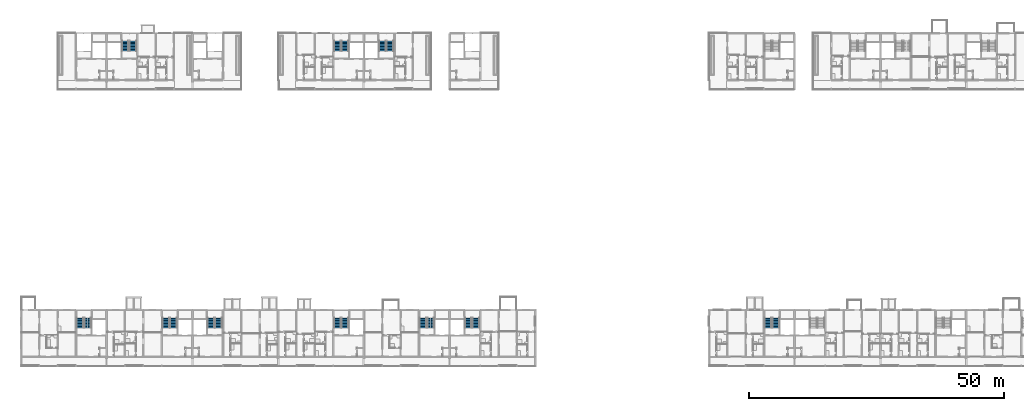
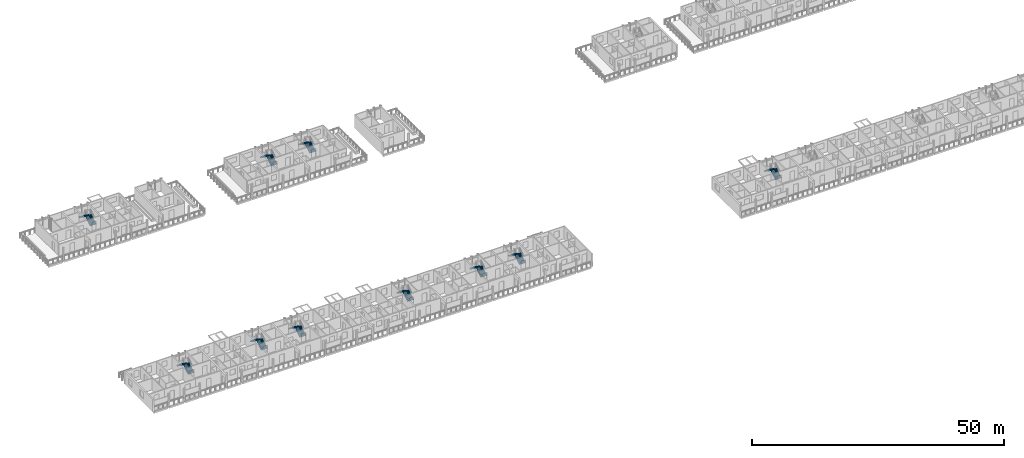
# One storey, part 62 of 94: 20 stair flights, 10 elements without a shape of their own.
"""IFC4 building model written with IfcOpenShell, lengths in metres."""

from ifc_helpers import new_model, si_unit, direction, frame, origin, place, context, subcontext, project, spatial, polyline, outline, extrude, material, type_object, element, aggregate, save


model = new_model("IFC4")

# Units and contexts
model_context = context("Model", 3, precision=1e-05, world=origin(), true_north=direction((0.0, 1.0)))
body_context = subcontext(model_context, "Body", "Model", "MODEL_VIEW")
ifc_project = project(units=[si_unit("LENGTHUNIT", "METRE"), si_unit("AREAUNIT", "SQUARE_METRE"), si_unit("VOLUMEUNIT", "CUBIC_METRE"), si_unit("PLANEANGLEUNIT", "RADIAN"), si_unit("MASSUNIT", "GRAM", prefix="KILO")], contexts=[model_context])

# Site, building, storey
site_placement = place(None, origin())
site = spatial("IfcSite", under=ifc_project, at=site_placement, CompositionType="ELEMENT")
building_placement = place(site_placement, origin())
building = spatial("IfcBuilding", under=site, at=building_placement, Name="Ridgestep Commons", CompositionType="ELEMENT")
storey_placement = place(building_placement, frame((0.0, 0.0, 24.0)))
storey = spatial("IfcBuildingStorey", under=building, at=storey_placement, Name="L08", CompositionType="ELEMENT", Elevation=24.0)

# Stair, stair flights
ifc_material_1 = material(Name="Precast concrete C40/50", Category="concrete")
stair_type = type_object("IfcStairType", Name="Escape stair 1400", PredefinedType="HALF_TURN_STAIR", material=ifc_material_1)
stair_1_placement = place(storey_placement, origin())
stair_1 = element("IfcStair", 1, at=stair_1_placement, inside=storey, type_object=stair_type, Name="L08 Escape stair A1C", PredefinedType="HALF_TURN_STAIR")
ifc_material_2 = material(Name="Precast concrete C40/50", Category="concrete")
stair_flight_type = type_object("IfcStairFlightType", Name="Stair flight 1400", PredefinedType="STRAIGHT", material=ifc_material_2)
stair_flight_1_placement = place(storey_placement, frame((25.125, 19.35009765625, 0.0), z_axis=(0.0, 0.0, 1.0), x_axis=(0.0, 1.0, 0.0)))
stair_flight_1 = element("IfcStairFlight", 2, at=stair_flight_1_placement, type_object=stair_flight_type, Name="A1C flight 1", NumberOfRisers=8, NumberOfTreads=7, PredefinedType="STRAIGHT", RiserHeight=0.1875, TreadLength=0.28, context=body_context, shape_type="SweptSolid", body=[
    extrude(outline(polyline([(0.0, 0.0), (0.0, 0.1875), (0.280029296875, 0.1875), (0.280029296875, 0.375), (0.56005859375, 0.375), (0.56005859375, 0.5625), (0.840087890625, 0.5625), (0.840087890625, 0.75), (1.1201171875, 0.75), (1.1201171875, 0.9375), (1.39990234375, 0.9375), (1.39990234375, 1.125), (1.679931640625, 1.125), (1.679931640625, 1.3125), (1.9599609375, 1.3125), (1.9599609375, 1.5), (1.9599609375, 1.132080078125), (0.26953125, 0.0), (0.0, 0.0)])), frame((0.0, 0.699951171875, 0.0), z_axis=(0.0, -1.0, 0.0), x_axis=(1.0, 0.0, 0.0)), (0.0, 0.0, 1.0), 0.695068359375),
    extrude(outline(polyline([(0.0, 0.0), (0.0, 0.1875), (0.280029296875, 0.1875), (0.280029296875, 0.375), (0.56005859375, 0.375), (0.56005859375, 0.5625), (0.840087890625, 0.5625), (0.840087890625, 0.75), (1.1201171875, 0.75), (1.1201171875, 0.9375), (1.39990234375, 0.9375), (1.39990234375, 1.125), (1.679931640625, 1.125), (1.679931640625, 1.3125), (1.9599609375, 1.3125), (1.9599609375, 1.5), (1.9599609375, 1.132080078125), (0.26953125, 0.0), (0.0, 0.0)])), frame((0.0, -0.0048828125, 0.0), z_axis=(0.0, -1.0, 0.0), x_axis=(1.0, 0.0, 0.0)), (0.0, 0.0, 1.0), 0.695068359375),
])
stair_flight_2_placement = place(storey_placement, frame((23.625, 21.31005859375, 1.5), z_axis=(0.0, 0.0, 1.0), x_axis=(0.0, -1.0, 0.0)))
stair_flight_2 = element("IfcStairFlight", 3, at=stair_flight_2_placement, type_object=stair_flight_type, Name="A1C flight 2", NumberOfRisers=8, NumberOfTreads=7, PredefinedType="STRAIGHT", RiserHeight=0.1875, TreadLength=0.28, context=body_context, shape_type="SweptSolid", body=[
    extrude(outline(polyline([(0.0, 0.0), (0.0, 0.1875), (0.280029296875, 0.1875), (0.280029296875, 0.375), (0.56005859375, 0.375), (0.56005859375, 0.5625), (0.840087890625, 0.5625), (0.840087890625, 0.75), (1.1201171875, 0.75), (1.1201171875, 0.9375), (1.39990234375, 0.9375), (1.39990234375, 1.125), (1.679931640625, 1.125), (1.679931640625, 1.3125), (1.9599609375, 1.3125), (1.9599609375, 1.5), (1.9599609375, 1.132080078125), (0.26953125, 0.0), (0.0, 0.0)])), frame((0.0, 0.699951171875, 0.0), z_axis=(0.0, -1.0, 0.0), x_axis=(1.0, 0.0, 0.0)), (0.0, 0.0, 1.0), 0.695068359375),
    extrude(outline(polyline([(0.0, 0.0), (0.0, 0.1875), (0.280029296875, 0.1875), (0.280029296875, 0.375), (0.56005859375, 0.375), (0.56005859375, 0.5625), (0.840087890625, 0.5625), (0.840087890625, 0.75), (1.1201171875, 0.75), (1.1201171875, 0.9375), (1.39990234375, 0.9375), (1.39990234375, 1.125), (1.679931640625, 1.125), (1.679931640625, 1.3125), (1.9599609375, 1.3125), (1.9599609375, 1.5), (1.9599609375, 1.132080078125), (0.26953125, 0.0), (0.0, 0.0)])), frame((0.0, -0.0048828125, 0.0), z_axis=(0.0, -1.0, 0.0), x_axis=(1.0, 0.0, 0.0)), (0.0, 0.0, 1.0), 0.695068359375),
])
aggregate(stair_1, [stair_flight_1, stair_flight_2])

stair_2_placement = place(storey_placement, origin())
stair_2 = element("IfcStair", 4, at=stair_2_placement, inside=storey, type_object=stair_type, Name="L08 Escape stair A2C", PredefinedType="HALF_TURN_STAIR")
stair_flight_3_placement = place(storey_placement, frame((41.925048828125, 19.35009765625, 0.0), z_axis=(0.0, 0.0, 1.0), x_axis=(0.0, 1.0, 0.0)))
stair_flight_3 = element("IfcStairFlight", 5, at=stair_flight_3_placement, type_object=stair_flight_type, Name="A2C flight 1", NumberOfRisers=8, NumberOfTreads=7, PredefinedType="STRAIGHT", RiserHeight=0.1875, TreadLength=0.28, context=body_context, shape_type="SweptSolid", body=[
    extrude(outline(polyline([(0.0, 0.0), (0.0, 0.1875), (0.280029296875, 0.1875), (0.280029296875, 0.375), (0.56005859375, 0.375), (0.56005859375, 0.5625), (0.840087890625, 0.5625), (0.840087890625, 0.75), (1.1201171875, 0.75), (1.1201171875, 0.9375), (1.39990234375, 0.9375), (1.39990234375, 1.125), (1.679931640625, 1.125), (1.679931640625, 1.3125), (1.9599609375, 1.3125), (1.9599609375, 1.5), (1.9599609375, 1.132080078125), (0.26953125, 0.0), (0.0, 0.0)])), frame((0.0, 0.699951171875, 0.0), z_axis=(0.0, -1.0, 0.0), x_axis=(1.0, 0.0, 0.0)), (0.0, 0.0, 1.0), 0.695068359375),
    extrude(outline(polyline([(0.0, 0.0), (0.0, 0.1875), (0.280029296875, 0.1875), (0.280029296875, 0.375), (0.56005859375, 0.375), (0.56005859375, 0.5625), (0.840087890625, 0.5625), (0.840087890625, 0.75), (1.1201171875, 0.75), (1.1201171875, 0.9375), (1.39990234375, 0.9375), (1.39990234375, 1.125), (1.679931640625, 1.125), (1.679931640625, 1.3125), (1.9599609375, 1.3125), (1.9599609375, 1.5), (1.9599609375, 1.132080078125), (0.26953125, 0.0), (0.0, 0.0)])), frame((0.0, -0.0048828125, 0.0), z_axis=(0.0, -1.0, 0.0), x_axis=(1.0, 0.0, 0.0)), (0.0, 0.0, 1.0), 0.695068359375),
])
stair_flight_4_placement = place(storey_placement, frame((40.425048828125, 21.31005859375, 1.5), z_axis=(0.0, 0.0, 1.0), x_axis=(0.0, -1.0, 0.0)))
stair_flight_4 = element("IfcStairFlight", 6, at=stair_flight_4_placement, type_object=stair_flight_type, Name="A2C flight 2", NumberOfRisers=8, NumberOfTreads=7, PredefinedType="STRAIGHT", RiserHeight=0.1875, TreadLength=0.28, context=body_context, shape_type="SweptSolid", body=[
    extrude(outline(polyline([(0.0, 0.0), (0.0, 0.1875), (0.280029296875, 0.1875), (0.280029296875, 0.375), (0.56005859375, 0.375), (0.56005859375, 0.5625), (0.840087890625, 0.5625), (0.840087890625, 0.75), (1.1201171875, 0.75), (1.1201171875, 0.9375), (1.39990234375, 0.9375), (1.39990234375, 1.125), (1.679931640625, 1.125), (1.679931640625, 1.3125), (1.9599609375, 1.3125), (1.9599609375, 1.5), (1.9599609375, 1.132080078125), (0.26953125, 0.0), (0.0, 0.0)])), frame((0.0, 0.699951171875, 0.0), z_axis=(0.0, -1.0, 0.0), x_axis=(1.0, 0.0, 0.0)), (0.0, 0.0, 1.0), 0.695068359375),
    extrude(outline(polyline([(0.0, 0.0), (0.0, 0.1875), (0.280029296875, 0.1875), (0.280029296875, 0.375), (0.56005859375, 0.375), (0.56005859375, 0.5625), (0.840087890625, 0.5625), (0.840087890625, 0.75), (1.1201171875, 0.75), (1.1201171875, 0.9375), (1.39990234375, 0.9375), (1.39990234375, 1.125), (1.679931640625, 1.125), (1.679931640625, 1.3125), (1.9599609375, 1.3125), (1.9599609375, 1.5), (1.9599609375, 1.132080078125), (0.26953125, 0.0), (0.0, 0.0)])), frame((0.0, -0.0048828125, 0.0), z_axis=(0.0, -1.0, 0.0), x_axis=(1.0, 0.0, 0.0)), (0.0, 0.0, 1.0), 0.695068359375),
])
aggregate(stair_2, [stair_flight_3, stair_flight_4])

stair_3_placement = place(storey_placement, origin())
stair_3 = element("IfcStair", 7, at=stair_3_placement, inside=storey, type_object=stair_type, Name="L08 Escape stair A3C", PredefinedType="HALF_TURN_STAIR")
stair_flight_5_placement = place(storey_placement, frame((50.77490234375, 19.35009765625, 0.0), z_axis=(0.0, 0.0, 1.0), x_axis=(0.0, 1.0, 0.0)))
stair_flight_5 = element("IfcStairFlight", 8, at=stair_flight_5_placement, type_object=stair_flight_type, Name="A3C flight 1", NumberOfRisers=8, NumberOfTreads=7, PredefinedType="STRAIGHT", RiserHeight=0.1875, TreadLength=0.28, context=body_context, shape_type="SweptSolid", body=[
    extrude(outline(polyline([(0.0, 0.0), (0.0, 0.1875), (0.280029296875, 0.1875), (0.280029296875, 0.375), (0.56005859375, 0.375), (0.56005859375, 0.5625), (0.840087890625, 0.5625), (0.840087890625, 0.75), (1.1201171875, 0.75), (1.1201171875, 0.9375), (1.39990234375, 0.9375), (1.39990234375, 1.125), (1.679931640625, 1.125), (1.679931640625, 1.3125), (1.9599609375, 1.3125), (1.9599609375, 1.5), (1.9599609375, 1.132080078125), (0.26953125, 0.0), (0.0, 0.0)])), frame((0.0, 0.699951171875, 0.0), z_axis=(0.0, -1.0, 0.0), x_axis=(1.0, 0.0, 0.0)), (0.0, 0.0, 1.0), 0.695068359375),
    extrude(outline(polyline([(0.0, 0.0), (0.0, 0.1875), (0.280029296875, 0.1875), (0.280029296875, 0.375), (0.56005859375, 0.375), (0.56005859375, 0.5625), (0.840087890625, 0.5625), (0.840087890625, 0.75), (1.1201171875, 0.75), (1.1201171875, 0.9375), (1.39990234375, 0.9375), (1.39990234375, 1.125), (1.679931640625, 1.125), (1.679931640625, 1.3125), (1.9599609375, 1.3125), (1.9599609375, 1.5), (1.9599609375, 1.132080078125), (0.26953125, 0.0), (0.0, 0.0)])), frame((0.0, -0.0048828125, 0.0), z_axis=(0.0, -1.0, 0.0), x_axis=(1.0, 0.0, 0.0)), (0.0, 0.0, 1.0), 0.695068359375),
])
stair_flight_6_placement = place(storey_placement, frame((49.27490234375, 21.31005859375, 1.5), z_axis=(0.0, 0.0, 1.0), x_axis=(0.0, -1.0, 0.0)))
stair_flight_6 = element("IfcStairFlight", 9, at=stair_flight_6_placement, type_object=stair_flight_type, Name="A3C flight 2", NumberOfRisers=8, NumberOfTreads=7, PredefinedType="STRAIGHT", RiserHeight=0.1875, TreadLength=0.28, context=body_context, shape_type="SweptSolid", body=[
    extrude(outline(polyline([(0.0, 0.0), (0.0, 0.1875), (0.280029296875, 0.1875), (0.280029296875, 0.375), (0.56005859375, 0.375), (0.56005859375, 0.5625), (0.840087890625, 0.5625), (0.840087890625, 0.75), (1.1201171875, 0.75), (1.1201171875, 0.9375), (1.39990234375, 0.9375), (1.39990234375, 1.125), (1.679931640625, 1.125), (1.679931640625, 1.3125), (1.9599609375, 1.3125), (1.9599609375, 1.5), (1.9599609375, 1.132080078125), (0.26953125, 0.0), (0.0, 0.0)])), frame((0.0, 0.699951171875, 0.0), z_axis=(0.0, -1.0, 0.0), x_axis=(1.0, 0.0, 0.0)), (0.0, 0.0, 1.0), 0.695068359375),
    extrude(outline(polyline([(0.0, 0.0), (0.0, 0.1875), (0.280029296875, 0.1875), (0.280029296875, 0.375), (0.56005859375, 0.375), (0.56005859375, 0.5625), (0.840087890625, 0.5625), (0.840087890625, 0.75), (1.1201171875, 0.75), (1.1201171875, 0.9375), (1.39990234375, 0.9375), (1.39990234375, 1.125), (1.679931640625, 1.125), (1.679931640625, 1.3125), (1.9599609375, 1.3125), (1.9599609375, 1.5), (1.9599609375, 1.132080078125), (0.26953125, 0.0), (0.0, 0.0)])), frame((0.0, -0.0048828125, 0.0), z_axis=(0.0, -1.0, 0.0), x_axis=(1.0, 0.0, 0.0)), (0.0, 0.0, 1.0), 0.695068359375),
])
aggregate(stair_3, [stair_flight_5, stair_flight_6])

stair_4_placement = place(storey_placement, origin())
stair_4 = element("IfcStair", 10, at=stair_4_placement, inside=storey, type_object=stair_type, Name="L08 Escape stair A4C", PredefinedType="HALF_TURN_STAIR")
stair_flight_7_placement = place(storey_placement, frame((75.52490234375, 19.35009765625, 0.0), z_axis=(0.0, 0.0, 1.0), x_axis=(0.0, 1.0, 0.0)))
stair_flight_7 = element("IfcStairFlight", 11, at=stair_flight_7_placement, type_object=stair_flight_type, Name="A4C flight 1", NumberOfRisers=8, NumberOfTreads=7, PredefinedType="STRAIGHT", RiserHeight=0.1875, TreadLength=0.28, context=body_context, shape_type="SweptSolid", body=[
    extrude(outline(polyline([(0.0, 0.0), (0.0, 0.1875), (0.280029296875, 0.1875), (0.280029296875, 0.375), (0.56005859375, 0.375), (0.56005859375, 0.5625), (0.840087890625, 0.5625), (0.840087890625, 0.75), (1.1201171875, 0.75), (1.1201171875, 0.9375), (1.39990234375, 0.9375), (1.39990234375, 1.125), (1.679931640625, 1.125), (1.679931640625, 1.3125), (1.9599609375, 1.3125), (1.9599609375, 1.5), (1.9599609375, 1.132080078125), (0.26953125, 0.0), (0.0, 0.0)])), frame((0.0, 0.699951171875, 0.0), z_axis=(0.0, -1.0, 0.0), x_axis=(1.0, 0.0, 0.0)), (0.0, 0.0, 1.0), 0.695068359375),
    extrude(outline(polyline([(0.0, 0.0), (0.0, 0.1875), (0.280029296875, 0.1875), (0.280029296875, 0.375), (0.56005859375, 0.375), (0.56005859375, 0.5625), (0.840087890625, 0.5625), (0.840087890625, 0.75), (1.1201171875, 0.75), (1.1201171875, 0.9375), (1.39990234375, 0.9375), (1.39990234375, 1.125), (1.679931640625, 1.125), (1.679931640625, 1.3125), (1.9599609375, 1.3125), (1.9599609375, 1.5), (1.9599609375, 1.132080078125), (0.26953125, 0.0), (0.0, 0.0)])), frame((0.0, -0.0048828125, 0.0), z_axis=(0.0, -1.0, 0.0), x_axis=(1.0, 0.0, 0.0)), (0.0, 0.0, 1.0), 0.695068359375),
])
stair_flight_8_placement = place(storey_placement, frame((74.02490234375, 21.31005859375, 1.5), z_axis=(0.0, 0.0, 1.0), x_axis=(0.0, -1.0, 0.0)))
stair_flight_8 = element("IfcStairFlight", 12, at=stair_flight_8_placement, type_object=stair_flight_type, Name="A4C flight 2", NumberOfRisers=8, NumberOfTreads=7, PredefinedType="STRAIGHT", RiserHeight=0.1875, TreadLength=0.28, context=body_context, shape_type="SweptSolid", body=[
    extrude(outline(polyline([(0.0, 0.0), (0.0, 0.1875), (0.280029296875, 0.1875), (0.280029296875, 0.375), (0.56005859375, 0.375), (0.56005859375, 0.5625), (0.840087890625, 0.5625), (0.840087890625, 0.75), (1.1201171875, 0.75), (1.1201171875, 0.9375), (1.39990234375, 0.9375), (1.39990234375, 1.125), (1.679931640625, 1.125), (1.679931640625, 1.3125), (1.9599609375, 1.3125), (1.9599609375, 1.5), (1.9599609375, 1.132080078125), (0.26953125, 0.0), (0.0, 0.0)])), frame((0.0, 0.699951171875, 0.0), z_axis=(0.0, -1.0, 0.0), x_axis=(1.0, 0.0, 0.0)), (0.0, 0.0, 1.0), 0.695068359375),
    extrude(outline(polyline([(0.0, 0.0), (0.0, 0.1875), (0.280029296875, 0.1875), (0.280029296875, 0.375), (0.56005859375, 0.375), (0.56005859375, 0.5625), (0.840087890625, 0.5625), (0.840087890625, 0.75), (1.1201171875, 0.75), (1.1201171875, 0.9375), (1.39990234375, 0.9375), (1.39990234375, 1.125), (1.679931640625, 1.125), (1.679931640625, 1.3125), (1.9599609375, 1.3125), (1.9599609375, 1.5), (1.9599609375, 1.132080078125), (0.26953125, 0.0), (0.0, 0.0)])), frame((0.0, -0.0048828125, 0.0), z_axis=(0.0, -1.0, 0.0), x_axis=(1.0, 0.0, 0.0)), (0.0, 0.0, 1.0), 0.695068359375),
])
aggregate(stair_4, [stair_flight_7, stair_flight_8])

stair_5_placement = place(storey_placement, origin())
stair_5 = element("IfcStair", 13, at=stair_5_placement, inside=storey, type_object=stair_type, Name="L08 Escape stair A5C", PredefinedType="HALF_TURN_STAIR")
stair_flight_9_placement = place(storey_placement, frame((92.324951171875, 19.35009765625, 0.0), z_axis=(0.0, 0.0, 1.0), x_axis=(0.0, 1.0, 0.0)))
stair_flight_9 = element("IfcStairFlight", 14, at=stair_flight_9_placement, type_object=stair_flight_type, Name="A5C flight 1", NumberOfRisers=8, NumberOfTreads=7, PredefinedType="STRAIGHT", RiserHeight=0.1875, TreadLength=0.28, context=body_context, shape_type="SweptSolid", body=[
    extrude(outline(polyline([(0.0, 0.0), (0.0, 0.1875), (0.280029296875, 0.1875), (0.280029296875, 0.375), (0.56005859375, 0.375), (0.56005859375, 0.5625), (0.840087890625, 0.5625), (0.840087890625, 0.75), (1.1201171875, 0.75), (1.1201171875, 0.9375), (1.39990234375, 0.9375), (1.39990234375, 1.125), (1.679931640625, 1.125), (1.679931640625, 1.3125), (1.9599609375, 1.3125), (1.9599609375, 1.5), (1.9599609375, 1.132080078125), (0.26953125, 0.0), (0.0, 0.0)])), frame((0.0, 0.699951171875, 0.0), z_axis=(0.0, -1.0, 0.0), x_axis=(1.0, 0.0, 0.0)), (0.0, 0.0, 1.0), 0.695068359375),
    extrude(outline(polyline([(0.0, 0.0), (0.0, 0.1875), (0.280029296875, 0.1875), (0.280029296875, 0.375), (0.56005859375, 0.375), (0.56005859375, 0.5625), (0.840087890625, 0.5625), (0.840087890625, 0.75), (1.1201171875, 0.75), (1.1201171875, 0.9375), (1.39990234375, 0.9375), (1.39990234375, 1.125), (1.679931640625, 1.125), (1.679931640625, 1.3125), (1.9599609375, 1.3125), (1.9599609375, 1.5), (1.9599609375, 1.132080078125), (0.26953125, 0.0), (0.0, 0.0)])), frame((0.0, -0.0048828125, 0.0), z_axis=(0.0, -1.0, 0.0), x_axis=(1.0, 0.0, 0.0)), (0.0, 0.0, 1.0), 0.695068359375),
])
stair_flight_10_placement = place(storey_placement, frame((90.824951171875, 21.31005859375, 1.5), z_axis=(0.0, 0.0, 1.0), x_axis=(0.0, -1.0, 0.0)))
stair_flight_10 = element("IfcStairFlight", 15, at=stair_flight_10_placement, type_object=stair_flight_type, Name="A5C flight 2", NumberOfRisers=8, NumberOfTreads=7, PredefinedType="STRAIGHT", RiserHeight=0.1875, TreadLength=0.28, context=body_context, shape_type="SweptSolid", body=[
    extrude(outline(polyline([(0.0, 0.0), (0.0, 0.1875), (0.280029296875, 0.1875), (0.280029296875, 0.375), (0.56005859375, 0.375), (0.56005859375, 0.5625), (0.840087890625, 0.5625), (0.840087890625, 0.75), (1.1201171875, 0.75), (1.1201171875, 0.9375), (1.39990234375, 0.9375), (1.39990234375, 1.125), (1.679931640625, 1.125), (1.679931640625, 1.3125), (1.9599609375, 1.3125), (1.9599609375, 1.5), (1.9599609375, 1.132080078125), (0.26953125, 0.0), (0.0, 0.0)])), frame((0.0, 0.699951171875, 0.0), z_axis=(0.0, -1.0, 0.0), x_axis=(1.0, 0.0, 0.0)), (0.0, 0.0, 1.0), 0.695068359375),
    extrude(outline(polyline([(0.0, 0.0), (0.0, 0.1875), (0.280029296875, 0.1875), (0.280029296875, 0.375), (0.56005859375, 0.375), (0.56005859375, 0.5625), (0.840087890625, 0.5625), (0.840087890625, 0.75), (1.1201171875, 0.75), (1.1201171875, 0.9375), (1.39990234375, 0.9375), (1.39990234375, 1.125), (1.679931640625, 1.125), (1.679931640625, 1.3125), (1.9599609375, 1.3125), (1.9599609375, 1.5), (1.9599609375, 1.132080078125), (0.26953125, 0.0), (0.0, 0.0)])), frame((0.0, -0.0048828125, 0.0), z_axis=(0.0, -1.0, 0.0), x_axis=(1.0, 0.0, 0.0)), (0.0, 0.0, 1.0), 0.695068359375),
])
aggregate(stair_5, [stair_flight_9, stair_flight_10])

stair_6_placement = place(storey_placement, origin())
stair_6 = element("IfcStair", 16, at=stair_6_placement, inside=storey, type_object=stair_type, Name="L08 Escape stair A6C", PredefinedType="HALF_TURN_STAIR")
stair_flight_11_placement = place(storey_placement, frame((101.175048828125, 19.35009765625, 0.0), z_axis=(0.0, 0.0, 1.0), x_axis=(0.0, 1.0, 0.0)))
stair_flight_11 = element("IfcStairFlight", 17, at=stair_flight_11_placement, type_object=stair_flight_type, Name="A6C flight 1", NumberOfRisers=8, NumberOfTreads=7, PredefinedType="STRAIGHT", RiserHeight=0.1875, TreadLength=0.28, context=body_context, shape_type="SweptSolid", body=[
    extrude(outline(polyline([(0.0, 0.0), (0.0, 0.1875), (0.280029296875, 0.1875), (0.280029296875, 0.375), (0.56005859375, 0.375), (0.56005859375, 0.5625), (0.840087890625, 0.5625), (0.840087890625, 0.75), (1.1201171875, 0.75), (1.1201171875, 0.9375), (1.39990234375, 0.9375), (1.39990234375, 1.125), (1.679931640625, 1.125), (1.679931640625, 1.3125), (1.9599609375, 1.3125), (1.9599609375, 1.5), (1.9599609375, 1.132080078125), (0.26953125, 0.0), (0.0, 0.0)])), frame((0.0, 0.699951171875, 0.0), z_axis=(0.0, -1.0, 0.0), x_axis=(1.0, 0.0, 0.0)), (0.0, 0.0, 1.0), 0.695068359375),
    extrude(outline(polyline([(0.0, 0.0), (0.0, 0.1875), (0.280029296875, 0.1875), (0.280029296875, 0.375), (0.56005859375, 0.375), (0.56005859375, 0.5625), (0.840087890625, 0.5625), (0.840087890625, 0.75), (1.1201171875, 0.75), (1.1201171875, 0.9375), (1.39990234375, 0.9375), (1.39990234375, 1.125), (1.679931640625, 1.125), (1.679931640625, 1.3125), (1.9599609375, 1.3125), (1.9599609375, 1.5), (1.9599609375, 1.132080078125), (0.26953125, 0.0), (0.0, 0.0)])), frame((0.0, -0.0048828125, 0.0), z_axis=(0.0, -1.0, 0.0), x_axis=(1.0, 0.0, 0.0)), (0.0, 0.0, 1.0), 0.695068359375),
])
stair_flight_12_placement = place(storey_placement, frame((99.675048828125, 21.31005859375, 1.5), z_axis=(0.0, 0.0, 1.0), x_axis=(0.0, -1.0, 0.0)))
stair_flight_12 = element("IfcStairFlight", 18, at=stair_flight_12_placement, type_object=stair_flight_type, Name="A6C flight 2", NumberOfRisers=8, NumberOfTreads=7, PredefinedType="STRAIGHT", RiserHeight=0.1875, TreadLength=0.28, context=body_context, shape_type="SweptSolid", body=[
    extrude(outline(polyline([(0.0, 0.0), (0.0, 0.1875), (0.280029296875, 0.1875), (0.280029296875, 0.375), (0.56005859375, 0.375), (0.56005859375, 0.5625), (0.840087890625, 0.5625), (0.840087890625, 0.75), (1.1201171875, 0.75), (1.1201171875, 0.9375), (1.39990234375, 0.9375), (1.39990234375, 1.125), (1.679931640625, 1.125), (1.679931640625, 1.3125), (1.9599609375, 1.3125), (1.9599609375, 1.5), (1.9599609375, 1.132080078125), (0.26953125, 0.0), (0.0, 0.0)])), frame((0.0, 0.699951171875, 0.0), z_axis=(0.0, -1.0, 0.0), x_axis=(1.0, 0.0, 0.0)), (0.0, 0.0, 1.0), 0.695068359375),
    extrude(outline(polyline([(0.0, 0.0), (0.0, 0.1875), (0.280029296875, 0.1875), (0.280029296875, 0.375), (0.56005859375, 0.375), (0.56005859375, 0.5625), (0.840087890625, 0.5625), (0.840087890625, 0.75), (1.1201171875, 0.75), (1.1201171875, 0.9375), (1.39990234375, 0.9375), (1.39990234375, 1.125), (1.679931640625, 1.125), (1.679931640625, 1.3125), (1.9599609375, 1.3125), (1.9599609375, 1.5), (1.9599609375, 1.132080078125), (0.26953125, 0.0), (0.0, 0.0)])), frame((0.0, -0.0048828125, 0.0), z_axis=(0.0, -1.0, 0.0), x_axis=(1.0, 0.0, 0.0)), (0.0, 0.0, 1.0), 0.695068359375),
])
aggregate(stair_6, [stair_flight_11, stair_flight_12])

stair_7_placement = place(storey_placement, origin())
stair_7 = element("IfcStair", 19, at=stair_7_placement, inside=storey, type_object=stair_type, Name="L08 Escape stair B2C", PredefinedType="HALF_TURN_STAIR")
stair_flight_13_placement = place(storey_placement, frame((33.97509765625, 73.60009765625, 0.0), z_axis=(0.0, 0.0, 1.0), x_axis=(0.0, 1.0, 0.0)))
stair_flight_13 = element("IfcStairFlight", 20, at=stair_flight_13_placement, type_object=stair_flight_type, Name="B2C flight 1", NumberOfRisers=8, NumberOfTreads=7, PredefinedType="STRAIGHT", RiserHeight=0.1875, TreadLength=0.28, context=body_context, shape_type="SweptSolid", body=[
    extrude(outline(polyline([(0.0, 0.0), (0.0, 0.1875), (0.280029296875, 0.1875), (0.280029296875, 0.375), (0.56005859375, 0.375), (0.56005859375, 0.5625), (0.840087890625, 0.5625), (0.840087890625, 0.75), (1.1201171875, 0.75), (1.1201171875, 0.9375), (1.39990234375, 0.9375), (1.39990234375, 1.125), (1.679931640625, 1.125), (1.679931640625, 1.3125), (1.9599609375, 1.3125), (1.9599609375, 1.5), (1.9599609375, 1.132080078125), (0.26953125, 0.0), (0.0, 0.0)])), frame((0.0, 0.699951171875, 0.0), z_axis=(0.0, -1.0, 0.0), x_axis=(1.0, 0.0, 0.0)), (0.0, 0.0, 1.0), 0.695068359375),
    extrude(outline(polyline([(0.0, 0.0), (0.0, 0.1875), (0.280029296875, 0.1875), (0.280029296875, 0.375), (0.56005859375, 0.375), (0.56005859375, 0.5625), (0.840087890625, 0.5625), (0.840087890625, 0.75), (1.1201171875, 0.75), (1.1201171875, 0.9375), (1.39990234375, 0.9375), (1.39990234375, 1.125), (1.679931640625, 1.125), (1.679931640625, 1.3125), (1.9599609375, 1.3125), (1.9599609375, 1.5), (1.9599609375, 1.132080078125), (0.26953125, 0.0), (0.0, 0.0)])), frame((0.0, -0.0048828125, 0.0), z_axis=(0.0, -1.0, 0.0), x_axis=(1.0, 0.0, 0.0)), (0.0, 0.0, 1.0), 0.695068359375),
])
stair_flight_14_placement = place(storey_placement, frame((32.47509765625, 75.56005859375, 1.5), z_axis=(0.0, 0.0, 1.0), x_axis=(0.0, -1.0, 0.0)))
stair_flight_14 = element("IfcStairFlight", 21, at=stair_flight_14_placement, type_object=stair_flight_type, Name="B2C flight 2", NumberOfRisers=8, NumberOfTreads=7, PredefinedType="STRAIGHT", RiserHeight=0.1875, TreadLength=0.28, context=body_context, shape_type="SweptSolid", body=[
    extrude(outline(polyline([(0.0, 0.0), (0.0, 0.1875), (0.280029296875, 0.1875), (0.280029296875, 0.375), (0.56005859375, 0.375), (0.56005859375, 0.5625), (0.840087890625, 0.5625), (0.840087890625, 0.75), (1.1201171875, 0.75), (1.1201171875, 0.9375), (1.39990234375, 0.9375), (1.39990234375, 1.125), (1.679931640625, 1.125), (1.679931640625, 1.3125), (1.9599609375, 1.3125), (1.9599609375, 1.5), (1.9599609375, 1.132080078125), (0.26953125, 0.0), (0.0, 0.0)])), frame((0.0, 0.699951171875, 0.0), z_axis=(0.0, -1.0, 0.0), x_axis=(1.0, 0.0, 0.0)), (0.0, 0.0, 1.0), 0.695068359375),
    extrude(outline(polyline([(0.0, 0.0), (0.0, 0.1875), (0.280029296875, 0.1875), (0.280029296875, 0.375), (0.56005859375, 0.375), (0.56005859375, 0.5625), (0.840087890625, 0.5625), (0.840087890625, 0.75), (1.1201171875, 0.75), (1.1201171875, 0.9375), (1.39990234375, 0.9375), (1.39990234375, 1.125), (1.679931640625, 1.125), (1.679931640625, 1.3125), (1.9599609375, 1.3125), (1.9599609375, 1.5), (1.9599609375, 1.132080078125), (0.26953125, 0.0), (0.0, 0.0)])), frame((0.0, -0.0048828125, 0.0), z_axis=(0.0, -1.0, 0.0), x_axis=(1.0, 0.0, 0.0)), (0.0, 0.0, 1.0), 0.695068359375),
])
aggregate(stair_7, [stair_flight_13, stair_flight_14])

stair_8_placement = place(storey_placement, origin())
stair_8 = element("IfcStair", 22, at=stair_8_placement, inside=storey, type_object=stair_type, Name="L08 Escape stair B4C", PredefinedType="HALF_TURN_STAIR")
stair_flight_15_placement = place(storey_placement, frame((75.52490234375, 73.60009765625, 0.0), z_axis=(0.0, 0.0, 1.0), x_axis=(0.0, 1.0, 0.0)))
stair_flight_15 = element("IfcStairFlight", 23, at=stair_flight_15_placement, type_object=stair_flight_type, Name="B4C flight 1", NumberOfRisers=8, NumberOfTreads=7, PredefinedType="STRAIGHT", RiserHeight=0.1875, TreadLength=0.28, context=body_context, shape_type="SweptSolid", body=[
    extrude(outline(polyline([(0.0, 0.0), (0.0, 0.1875), (0.280029296875, 0.1875), (0.280029296875, 0.375), (0.56005859375, 0.375), (0.56005859375, 0.5625), (0.840087890625, 0.5625), (0.840087890625, 0.75), (1.1201171875, 0.75), (1.1201171875, 0.9375), (1.39990234375, 0.9375), (1.39990234375, 1.125), (1.679931640625, 1.125), (1.679931640625, 1.3125), (1.9599609375, 1.3125), (1.9599609375, 1.5), (1.9599609375, 1.132080078125), (0.26953125, 0.0), (0.0, 0.0)])), frame((0.0, 0.699951171875, 0.0), z_axis=(0.0, -1.0, 0.0), x_axis=(1.0, 0.0, 0.0)), (0.0, 0.0, 1.0), 0.695068359375),
    extrude(outline(polyline([(0.0, 0.0), (0.0, 0.1875), (0.280029296875, 0.1875), (0.280029296875, 0.375), (0.56005859375, 0.375), (0.56005859375, 0.5625), (0.840087890625, 0.5625), (0.840087890625, 0.75), (1.1201171875, 0.75), (1.1201171875, 0.9375), (1.39990234375, 0.9375), (1.39990234375, 1.125), (1.679931640625, 1.125), (1.679931640625, 1.3125), (1.9599609375, 1.3125), (1.9599609375, 1.5), (1.9599609375, 1.132080078125), (0.26953125, 0.0), (0.0, 0.0)])), frame((0.0, -0.0048828125, 0.0), z_axis=(0.0, -1.0, 0.0), x_axis=(1.0, 0.0, 0.0)), (0.0, 0.0, 1.0), 0.695068359375),
])
stair_flight_16_placement = place(storey_placement, frame((74.02490234375, 75.56005859375, 1.5), z_axis=(0.0, 0.0, 1.0), x_axis=(0.0, -1.0, 0.0)))
stair_flight_16 = element("IfcStairFlight", 24, at=stair_flight_16_placement, type_object=stair_flight_type, Name="B4C flight 2", NumberOfRisers=8, NumberOfTreads=7, PredefinedType="STRAIGHT", RiserHeight=0.1875, TreadLength=0.28, context=body_context, shape_type="SweptSolid", body=[
    extrude(outline(polyline([(0.0, 0.0), (0.0, 0.1875), (0.280029296875, 0.1875), (0.280029296875, 0.375), (0.56005859375, 0.375), (0.56005859375, 0.5625), (0.840087890625, 0.5625), (0.840087890625, 0.75), (1.1201171875, 0.75), (1.1201171875, 0.9375), (1.39990234375, 0.9375), (1.39990234375, 1.125), (1.679931640625, 1.125), (1.679931640625, 1.3125), (1.9599609375, 1.3125), (1.9599609375, 1.5), (1.9599609375, 1.132080078125), (0.26953125, 0.0), (0.0, 0.0)])), frame((0.0, 0.699951171875, 0.0), z_axis=(0.0, -1.0, 0.0), x_axis=(1.0, 0.0, 0.0)), (0.0, 0.0, 1.0), 0.695068359375),
    extrude(outline(polyline([(0.0, 0.0), (0.0, 0.1875), (0.280029296875, 0.1875), (0.280029296875, 0.375), (0.56005859375, 0.375), (0.56005859375, 0.5625), (0.840087890625, 0.5625), (0.840087890625, 0.75), (1.1201171875, 0.75), (1.1201171875, 0.9375), (1.39990234375, 0.9375), (1.39990234375, 1.125), (1.679931640625, 1.125), (1.679931640625, 1.3125), (1.9599609375, 1.3125), (1.9599609375, 1.5), (1.9599609375, 1.132080078125), (0.26953125, 0.0), (0.0, 0.0)])), frame((0.0, -0.0048828125, 0.0), z_axis=(0.0, -1.0, 0.0), x_axis=(1.0, 0.0, 0.0)), (0.0, 0.0, 1.0), 0.695068359375),
])
aggregate(stair_8, [stair_flight_15, stair_flight_16])

stair_9_placement = place(storey_placement, origin())
stair_9 = element("IfcStair", 25, at=stair_9_placement, inside=storey, type_object=stair_type, Name="L08 Escape stair B5C", PredefinedType="HALF_TURN_STAIR")
stair_flight_17_placement = place(storey_placement, frame((84.375, 73.60009765625, 0.0), z_axis=(0.0, 0.0, 1.0), x_axis=(0.0, 1.0, 0.0)))
stair_flight_17 = element("IfcStairFlight", 26, at=stair_flight_17_placement, type_object=stair_flight_type, Name="B5C flight 1", NumberOfRisers=8, NumberOfTreads=7, PredefinedType="STRAIGHT", RiserHeight=0.1875, TreadLength=0.28, context=body_context, shape_type="SweptSolid", body=[
    extrude(outline(polyline([(0.0, 0.0), (0.0, 0.1875), (0.280029296875, 0.1875), (0.280029296875, 0.375), (0.56005859375, 0.375), (0.56005859375, 0.5625), (0.840087890625, 0.5625), (0.840087890625, 0.75), (1.1201171875, 0.75), (1.1201171875, 0.9375), (1.39990234375, 0.9375), (1.39990234375, 1.125), (1.679931640625, 1.125), (1.679931640625, 1.3125), (1.9599609375, 1.3125), (1.9599609375, 1.5), (1.9599609375, 1.132080078125), (0.26953125, 0.0), (0.0, 0.0)])), frame((0.0, 0.699951171875, 0.0), z_axis=(0.0, -1.0, 0.0), x_axis=(1.0, 0.0, 0.0)), (0.0, 0.0, 1.0), 0.695068359375),
    extrude(outline(polyline([(0.0, 0.0), (0.0, 0.1875), (0.280029296875, 0.1875), (0.280029296875, 0.375), (0.56005859375, 0.375), (0.56005859375, 0.5625), (0.840087890625, 0.5625), (0.840087890625, 0.75), (1.1201171875, 0.75), (1.1201171875, 0.9375), (1.39990234375, 0.9375), (1.39990234375, 1.125), (1.679931640625, 1.125), (1.679931640625, 1.3125), (1.9599609375, 1.3125), (1.9599609375, 1.5), (1.9599609375, 1.132080078125), (0.26953125, 0.0), (0.0, 0.0)])), frame((0.0, -0.0048828125, 0.0), z_axis=(0.0, -1.0, 0.0), x_axis=(1.0, 0.0, 0.0)), (0.0, 0.0, 1.0), 0.695068359375),
])
stair_flight_18_placement = place(storey_placement, frame((82.875, 75.56005859375, 1.5), z_axis=(0.0, 0.0, 1.0), x_axis=(0.0, -1.0, 0.0)))
stair_flight_18 = element("IfcStairFlight", 27, at=stair_flight_18_placement, type_object=stair_flight_type, Name="B5C flight 2", NumberOfRisers=8, NumberOfTreads=7, PredefinedType="STRAIGHT", RiserHeight=0.1875, TreadLength=0.28, context=body_context, shape_type="SweptSolid", body=[
    extrude(outline(polyline([(0.0, 0.0), (0.0, 0.1875), (0.280029296875, 0.1875), (0.280029296875, 0.375), (0.56005859375, 0.375), (0.56005859375, 0.5625), (0.840087890625, 0.5625), (0.840087890625, 0.75), (1.1201171875, 0.75), (1.1201171875, 0.9375), (1.39990234375, 0.9375), (1.39990234375, 1.125), (1.679931640625, 1.125), (1.679931640625, 1.3125), (1.9599609375, 1.3125), (1.9599609375, 1.5), (1.9599609375, 1.132080078125), (0.26953125, 0.0), (0.0, 0.0)])), frame((0.0, 0.699951171875, 0.0), z_axis=(0.0, -1.0, 0.0), x_axis=(1.0, 0.0, 0.0)), (0.0, 0.0, 1.0), 0.695068359375),
    extrude(outline(polyline([(0.0, 0.0), (0.0, 0.1875), (0.280029296875, 0.1875), (0.280029296875, 0.375), (0.56005859375, 0.375), (0.56005859375, 0.5625), (0.840087890625, 0.5625), (0.840087890625, 0.75), (1.1201171875, 0.75), (1.1201171875, 0.9375), (1.39990234375, 0.9375), (1.39990234375, 1.125), (1.679931640625, 1.125), (1.679931640625, 1.3125), (1.9599609375, 1.3125), (1.9599609375, 1.5), (1.9599609375, 1.132080078125), (0.26953125, 0.0), (0.0, 0.0)])), frame((0.0, -0.0048828125, 0.0), z_axis=(0.0, -1.0, 0.0), x_axis=(1.0, 0.0, 0.0)), (0.0, 0.0, 1.0), 0.695068359375),
])
aggregate(stair_9, [stair_flight_17, stair_flight_18])

stair_10_placement = place(storey_placement, origin())
stair_10 = element("IfcStair", 28, at=stair_10_placement, inside=storey, type_object=stair_type, Name="L08 Escape stair D1C", PredefinedType="HALF_TURN_STAIR")
stair_flight_19_placement = place(storey_placement, frame((159.925048828125, 19.35009765625, 0.0), z_axis=(0.0, 0.0, 1.0), x_axis=(0.0, 1.0, 0.0)))
stair_flight_19 = element("IfcStairFlight", 29, at=stair_flight_19_placement, type_object=stair_flight_type, Name="D1C flight 1", NumberOfRisers=8, NumberOfTreads=7, PredefinedType="STRAIGHT", RiserHeight=0.1875, TreadLength=0.28, context=body_context, shape_type="SweptSolid", body=[
    extrude(outline(polyline([(0.0, 0.0), (0.0, 0.1875), (0.280029296875, 0.1875), (0.280029296875, 0.375), (0.56005859375, 0.375), (0.56005859375, 0.5625), (0.840087890625, 0.5625), (0.840087890625, 0.75), (1.1201171875, 0.75), (1.1201171875, 0.9375), (1.39990234375, 0.9375), (1.39990234375, 1.125), (1.679931640625, 1.125), (1.679931640625, 1.3125), (1.9599609375, 1.3125), (1.9599609375, 1.5), (1.9599609375, 1.132080078125), (0.26953125, 0.0), (0.0, 0.0)])), frame((0.0, 0.699951171875, 0.0), z_axis=(0.0, -1.0, 0.0), x_axis=(1.0, 0.0, 0.0)), (0.0, 0.0, 1.0), 0.695068359375),
    extrude(outline(polyline([(0.0, 0.0), (0.0, 0.1875), (0.280029296875, 0.1875), (0.280029296875, 0.375), (0.56005859375, 0.375), (0.56005859375, 0.5625), (0.840087890625, 0.5625), (0.840087890625, 0.75), (1.1201171875, 0.75), (1.1201171875, 0.9375), (1.39990234375, 0.9375), (1.39990234375, 1.125), (1.679931640625, 1.125), (1.679931640625, 1.3125), (1.9599609375, 1.3125), (1.9599609375, 1.5), (1.9599609375, 1.132080078125), (0.26953125, 0.0), (0.0, 0.0)])), frame((0.0, -0.0048828125, 0.0), z_axis=(0.0, -1.0, 0.0), x_axis=(1.0, 0.0, 0.0)), (0.0, 0.0, 1.0), 0.695068359375),
])
stair_flight_20_placement = place(storey_placement, frame((158.425048828125, 21.31005859375, 1.5), z_axis=(0.0, 0.0, 1.0), x_axis=(0.0, -1.0, 0.0)))
stair_flight_20 = element("IfcStairFlight", 30, at=stair_flight_20_placement, type_object=stair_flight_type, Name="D1C flight 2", NumberOfRisers=8, NumberOfTreads=7, PredefinedType="STRAIGHT", RiserHeight=0.1875, TreadLength=0.28, context=body_context, shape_type="SweptSolid", body=[
    extrude(outline(polyline([(0.0, 0.0), (0.0, 0.1875), (0.280029296875, 0.1875), (0.280029296875, 0.375), (0.56005859375, 0.375), (0.56005859375, 0.5625), (0.840087890625, 0.5625), (0.840087890625, 0.75), (1.1201171875, 0.75), (1.1201171875, 0.9375), (1.39990234375, 0.9375), (1.39990234375, 1.125), (1.679931640625, 1.125), (1.679931640625, 1.3125), (1.9599609375, 1.3125), (1.9599609375, 1.5), (1.9599609375, 1.132080078125), (0.26953125, 0.0), (0.0, 0.0)])), frame((0.0, 0.699951171875, 0.0), z_axis=(0.0, -1.0, 0.0), x_axis=(1.0, 0.0, 0.0)), (0.0, 0.0, 1.0), 0.695068359375),
    extrude(outline(polyline([(0.0, 0.0), (0.0, 0.1875), (0.280029296875, 0.1875), (0.280029296875, 0.375), (0.56005859375, 0.375), (0.56005859375, 0.5625), (0.840087890625, 0.5625), (0.840087890625, 0.75), (1.1201171875, 0.75), (1.1201171875, 0.9375), (1.39990234375, 0.9375), (1.39990234375, 1.125), (1.679931640625, 1.125), (1.679931640625, 1.3125), (1.9599609375, 1.3125), (1.9599609375, 1.5), (1.9599609375, 1.132080078125), (0.26953125, 0.0), (0.0, 0.0)])), frame((0.0, -0.0048828125, 0.0), z_axis=(0.0, -1.0, 0.0), x_axis=(1.0, 0.0, 0.0)), (0.0, 0.0, 1.0), 0.695068359375),
])
aggregate(stair_10, [stair_flight_19, stair_flight_20])

save(model, "model.ifc")
